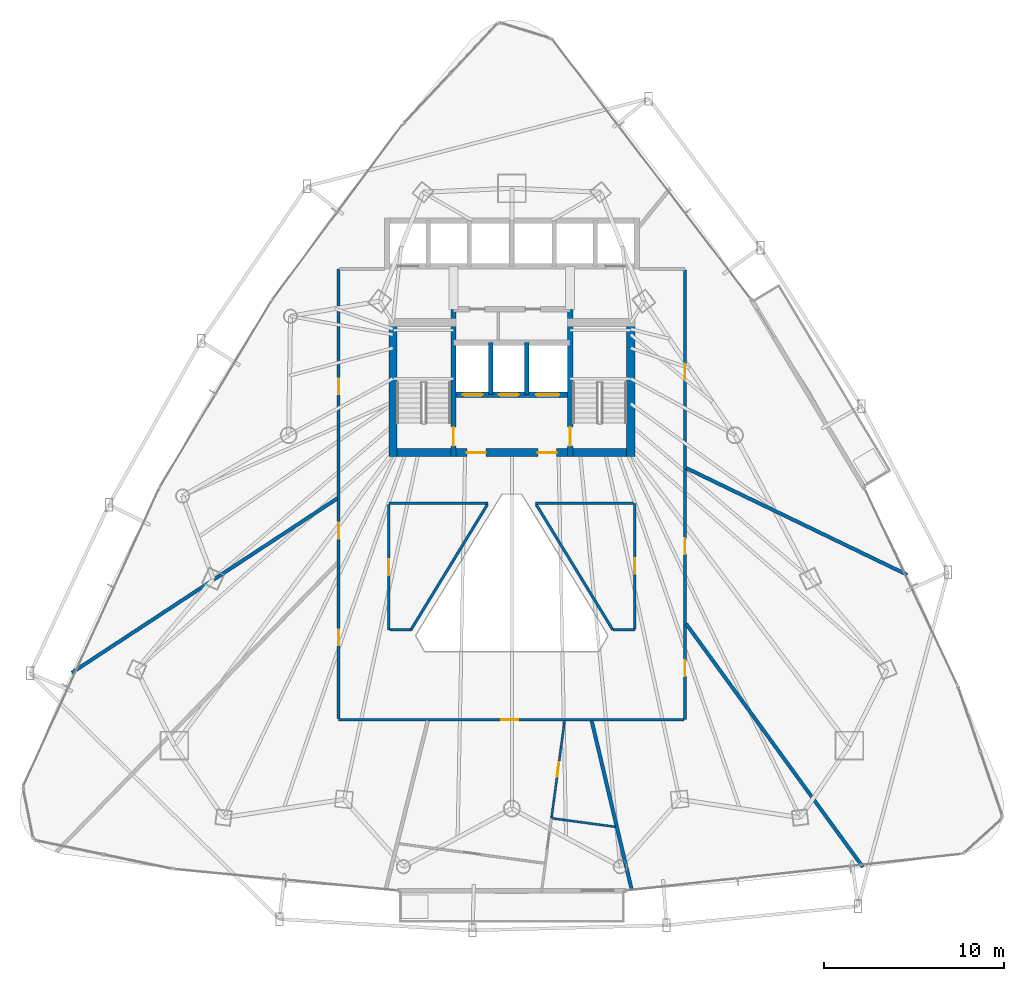
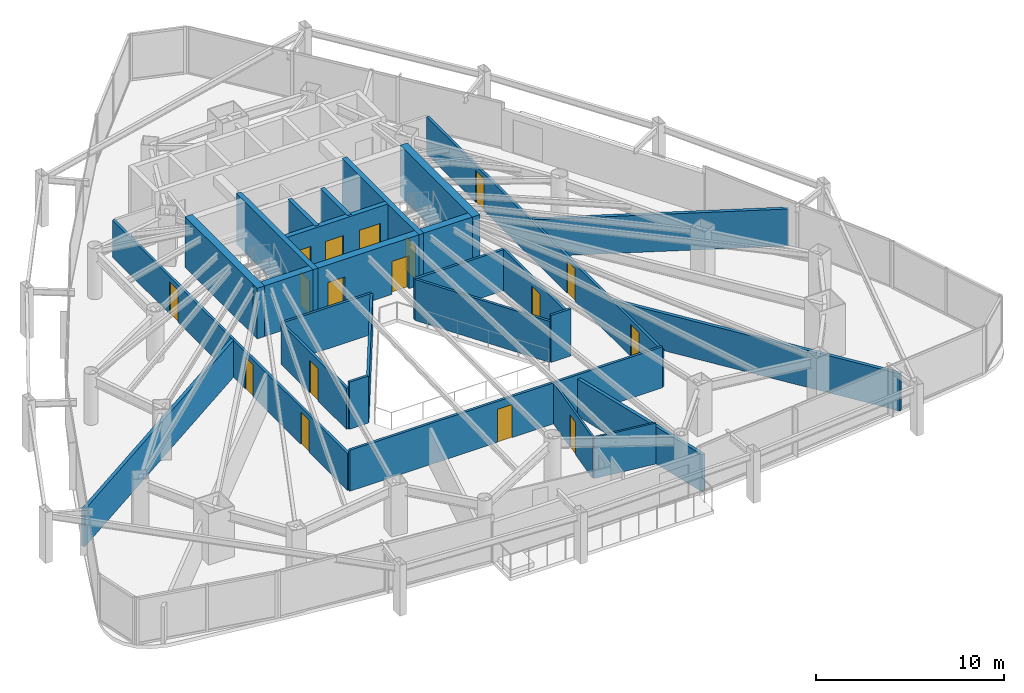
# One storey, part 29 of 33: 25 walls, 17 doors, 17 openings.
"""IFC4 building model written with IfcOpenShell, lengths in metres."""

import ifcopenshell
import ifcopenshell.guid

model = None  # the IFC model being written
_history = None  # IfcOwnerHistory: only IFC2X3 demands one
_inside = {}  # id of a spatial element -> (the spatial element, [elements in it])
_under = {}  # id of a project, library or spatial element -> (it, [spatial elements below it])
_declared = {}  # id of a project -> (the project, [libraries it declares])
_typed = {}  # id of a type object -> (the type object, [elements of that type])
_made_of = {}  # id of a material, layer set ... -> (it, [elements and type objects made of it])


def new_model(schema):
    """Start an empty IFC model of exactly this schema.

    Asked for "IFC4X3", IfcOpenShell would pick the latest addendum, in which some entities
    have other attributes; the version numbers below select the first issue.
    IFC2X3 requires an IfcOwnerHistory on every rooted entity: one is made here for all.
    """
    global model, _history
    if schema == "IFC4X3":
        model = ifcopenshell.file(schema_version=(4, 3, 0, 0))
    else:
        model = ifcopenshell.file(schema=schema)
    _inside.clear()
    _under.clear()
    _declared.clear()
    _typed.clear()
    _made_of.clear()
    _history = None
    if model.schema == "IFC2X3":
        org = make("IfcOrganization", Name="unknown")
        user = make(
            "IfcPersonAndOrganization",
            ThePerson=make("IfcPerson", FamilyName="unknown"),
            TheOrganization=org,
        )
        app = make(
            "IfcApplication",
            ApplicationDeveloper=org,
            Version="unknown",
            ApplicationFullName="unknown",
            ApplicationIdentifier="unknown",
        )
        _history = make(
            "IfcOwnerHistory",
            OwningUser=user,
            OwningApplication=app,
            ChangeAction="ADDED",
            CreationDate=0,
        )
    return model


def make(cls, **values):
    """One entity of the class cls with the attributes given. An attribute that is None is left unset."""
    return model.create_entity(
        cls, **{name: value for name, value in values.items() if value is not None}
    )


def rooted(cls, **values):
    """An entity with a GlobalId (a new one), such as an element, a storey or a relation."""
    return make(cls, GlobalId=ifcopenshell.guid.new(), OwnerHistory=_history, **values)


def si_unit(unit_type, name, prefix=None):
    """IfcSIUnit, for example si_unit("LENGTHUNIT", "METRE", prefix="MILLI")."""
    return make("IfcSIUnit", UnitType=unit_type, Prefix=prefix, Name=name)


def assignment(units):
    """IfcUnitAssignment: the units of a project."""
    return None if units is None else make("IfcUnitAssignment", Units=units)


def point(xyz):
    """IfcCartesianPoint."""
    return None if xyz is None else make("IfcCartesianPoint", Coordinates=xyz)


def direction(xyz):
    """IfcDirection."""
    return None if xyz is None else make("IfcDirection", DirectionRatios=xyz)


def frame(location, z_axis=None, x_axis=None):
    """IfcAxis2Placement3D, a coordinate frame: its origin and axes. An axis left out is left unset."""
    return make(
        "IfcAxis2Placement3D",
        Location=point(location),
        Axis=direction(z_axis),
        RefDirection=direction(x_axis),
    )


def frame_2d(location, x_axis=None):
    """IfcAxis2Placement2D, a coordinate frame in the plane: its origin and x axis."""
    return make(
        "IfcAxis2Placement2D", Location=point(location), RefDirection=direction(x_axis)
    )


def origin():
    """The frame at (0, 0, 0) with its axes left unset."""
    return frame((0.0, 0.0, 0.0))


def place(relative_to, where):
    """IfcLocalPlacement: puts the frame where relative to a parent placement (None: the world)."""
    return make(
        "IfcLocalPlacement", PlacementRelTo=relative_to, RelativePlacement=where
    )


def context(
    kind, dimensions, precision=None, world=None, true_north=None, identifier=None
):
    """IfcGeometricRepresentationContext, for example the 3D "Model" context."""
    return make(
        "IfcGeometricRepresentationContext",
        ContextIdentifier=identifier,
        ContextType=kind,
        CoordinateSpaceDimension=dimensions,
        Precision=precision,
        WorldCoordinateSystem=world,
        TrueNorth=true_north,
    )


def subcontext(parent, identifier, kind, view, scale=None):
    """IfcGeometricRepresentationSubContext, for example "Body" below "Model"."""
    return make(
        "IfcGeometricRepresentationSubContext",
        ContextIdentifier=identifier,
        ContextType=kind,
        ParentContext=parent,
        TargetScale=scale,
        TargetView=view,
    )


def project(units=None, contexts=None):
    """IfcProject with its units and contexts."""
    return rooted(
        "IfcProject",
        Name="project",
        RepresentationContexts=contexts,
        UnitsInContext=assignment(units),
    )


def spatial(cls, under=None, at=None, **own):
    """A site, building, storey or space (cls), placed at a placement, below another one or the project."""
    s = rooted(cls, ObjectPlacement=at, **own)
    if under is not None:
        _under.setdefault(under.id(), (under, []))[1].append(s)
    return s


def profile(cls, at=None, kind="AREA", **sizes):
    """A parametric profile (cls). Its sizes go by their IFC names, for example OverallWidth=200.0."""
    return make(cls, ProfileType=kind, Position=at, **sizes)


def rectangle(**sizes):
    """IfcRectangleProfileDef."""
    return profile("IfcRectangleProfileDef", **sizes)


def extrude(swept, where, along, depth):
    """IfcExtrudedAreaSolid: the profile swept, set in the frame where, extruded along a direction by depth."""
    return make(
        "IfcExtrudedAreaSolid",
        SweptArea=swept,
        Position=where,
        ExtrudedDirection=direction(along),
        Depth=depth,
    )


def shape(context_of_items, identifier, shape_type, items):
    """IfcShapeRepresentation: the items that make up one representation, for example the "Body"."""
    return make(
        "IfcShapeRepresentation",
        ContextOfItems=context_of_items,
        RepresentationIdentifier=identifier,
        RepresentationType=shape_type,
        Items=items,
    )


def material(Name=None, Category=None):
    """IfcMaterial."""
    return make("IfcMaterial", Name=Name, Category=Category)


def layer(
    of_material, thickness, ventilated=None, Name=None, Category=None, Priority=None
):
    """IfcMaterialLayer: one layer of a wall or slab, of a material (None: an air gap)."""
    return make(
        "IfcMaterialLayer",
        Material=of_material,
        LayerThickness=thickness,
        IsVentilated=ventilated,
        Name=Name,
        Category=Category,
        Priority=Priority,
    )


def layer_set(layers, Name=None):
    """IfcMaterialLayerSet."""
    return make("IfcMaterialLayerSet", MaterialLayers=layers, LayerSetName=Name)


def made_of(thing, what):
    """Note that an element or type object is made of a material, layer set ...; save() writes the relation."""
    if what is not None:
        _made_of.setdefault(what.id(), (what, []))[1].append(thing)
    return thing


def type_object(cls, material=None, **own):
    """A type object (cls), such as IfcWallType, which elements share."""
    return made_of(rooted(cls, **own), material)


def element(
    cls,
    number,
    at=None,
    inside=None,
    cuts=None,
    type_object=None,
    material=None,
    context=None,
    identifier="Body",
    shape_type=None,
    held_by="IfcProductDefinitionShape",
    body=None,
    shapes=None,
    **own,
):
    """One element of the class cls, such as IfcWall. Its Tag is "e" and its number.

    at: its placement. inside: the storey or other place that contains it. cuts: it is an
    opening in that element (IfcRelVoidsElement). A single representation is given by context,
    identifier, shape_type and body (its items); several are given by shapes. held_by: the class
    of the entity that holds the representations. save() writes the other relations.
    """
    e = rooted(cls, Tag="e%d" % number, ObjectPlacement=at, **own)
    if body is not None:
        shapes = [shape(context, identifier, shape_type, body)]
    if shapes is not None:
        e.Representation = make(held_by, Representations=shapes)
    if inside is not None:
        _inside.setdefault(inside.id(), (inside, []))[1].append(e)
    if cuts is not None:
        rooted(
            "IfcRelVoidsElement", RelatingBuildingElement=cuts, RelatedOpeningElement=e
        )
    if type_object is not None:
        _typed.setdefault(type_object.id(), (type_object, []))[1].append(e)
    return made_of(e, material)


def fill(opening, filler):
    """IfcRelFillsElement: the door or window that sits in an opening."""
    return rooted(
        "IfcRelFillsElement",
        RelatingOpeningElement=opening,
        RelatedBuildingElement=filler,
    )


def aggregate(whole, parts):
    """IfcRelAggregates: a whole, such as a stair, and the parts it consists of."""
    return rooted("IfcRelAggregates", RelatingObject=whole, RelatedObjects=parts)


def save(model, path):
    """Write the relations noted so far, then the file.

    IfcRelAggregates (storeys below a building ...), IfcRelContainedInSpatialStructure (elements
    in a storey), IfcRelDefinesByType, IfcRelAssociatesMaterial and IfcRelDeclares: one each for
    every whole, place, type object, material and project.
    """
    for whole, parts in _under.values():
        aggregate(whole, parts)
    for where, things in _inside.values():
        rooted(
            "IfcRelContainedInSpatialStructure",
            RelatedElements=things,
            RelatingStructure=where,
        )
    for kind, things in _typed.values():
        rooted("IfcRelDefinesByType", RelatedObjects=things, RelatingType=kind)
    for what, things in _made_of.values():
        rooted("IfcRelAssociatesMaterial", RelatedObjects=things, RelatingMaterial=what)
    for by, libraries in _declared.values():
        rooted("IfcRelDeclares", RelatingContext=by, RelatedDefinitions=libraries)
    model.write(path)


model = new_model("IFC4")

# Units and contexts
model_context = context("Model", 3, precision=1e-05, world=origin(), true_north=direction((0.0, 1.0)))
body_context = subcontext(model_context, "Body", "Model", "MODEL_VIEW")
ifc_project = project(units=[si_unit("LENGTHUNIT", "METRE"), si_unit("AREAUNIT", "SQUARE_METRE"), si_unit("VOLUMEUNIT", "CUBIC_METRE"), si_unit("PLANEANGLEUNIT", "RADIAN"), si_unit("MASSUNIT", "GRAM", prefix="KILO")], contexts=[model_context])

# Site, building, storey
site_placement = place(None, origin())
site = spatial("IfcSite", under=ifc_project, at=site_placement, CompositionType="ELEMENT")
building_placement = place(site_placement, origin())
building = spatial("IfcBuilding", under=site, at=building_placement, Name="Orvanel Arch Residences", CompositionType="ELEMENT")
storey_placement = place(building_placement, frame((0.0, 0.0, 84.050048828125)))
storey = spatial("IfcBuildingStorey", under=building, at=storey_placement, Name="L23", CompositionType="ELEMENT", Elevation=84.050048828125)

# Walls
ifc_material_1 = material(Name="Concrete N50 (50 MPa)", Category="concrete")
ifc_layer_1 = layer(ifc_material_1, 0.25)
ifc_layer_set_1 = layer_set([ifc_layer_1], Name="Concrete N50 (50 MPa)")
wall_type_1 = type_object("IfcWallType", Name="SW-CORE-250", PredefinedType="SHEAR", material=ifc_layer_set_1)
for number, where, z_axis, x_axis, name in (
    (1, (31.824951171875, 29.89990234375, 0.0), (0.0, 0.0, 1.0), (0.0, 1.0, 0.0), "L23 Emergency Lift Inter-Shaft Wall F12"),
    (2, (33.824951171875, 29.89990234375, 0.0), (0.0, 0.0, 1.0), (0.0, 1.0, 0.0), "L23 Emergency Lift Inter-Shaft Wall F2G"),
):
    element("IfcWall", number, at=place(storey_placement, frame(where, z_axis=z_axis, x_axis=x_axis)), inside=storey, type_object=wall_type_1, Name=name, PredefinedType="SHEAR", context=body_context, shape_type="SweptSolid", body=[
        extrude(rectangle(XDim=2.900146484375, YDim=0.25, at=frame_2d((1.4501953125, 0.0))), origin(), (0.0, 0.0, 1.0), 3.300048828125),
    ])

# Wall, opening, door
ifc_material_2 = material(Name="Concrete S80 (80 MPa)", Category="concrete")
ifc_layer_2 = layer(ifc_material_2, 0.300048828125)
ifc_layer_set_2 = layer_set([ifc_layer_2], Name="Concrete S80 (80 MPa)")
wall_type_2 = type_object("IfcWallType", Name="SW-CORE-300", PredefinedType="SHEAR", material=ifc_layer_set_2)
wall_1_placement = place(storey_placement, frame((29.75, 26.449951171875, 0.0), z_axis=(0.0, 0.0, 1.0), x_axis=(0.0, 1.0, 0.0)))
wall_1 = element("IfcWall", 3, at=wall_1_placement, inside=storey, type_object=wall_type_2, Name="L23 West Inner Core Spine Shear Wall", PredefinedType="SHEAR", context=body_context, shape_type="SweptSolid", body=[
    extrude(rectangle(XDim=8.199951171875, YDim=0.300048828125, at=frame_2d((4.10009765625, 0.0))), origin(), (0.0, 0.0, 1.0), 3.300048828125),
])
opening_1_placement = place(wall_1_placement, frame((0.60009765625, 0.0, 0.0)))
opening_1 = element("IfcOpeningElement", 4, at=opening_1_placement, cuts=wall_1, Name="Opening DF-120", PredefinedType="OPENING", context=body_context, shape_type="SweptSolid", body=[
    extrude(rectangle(XDim=1.050048828125, YDim=2.14990234375, at=frame_2d((0.52490234375, 1.074951171875))), frame((0.0, 0.159912109375, 0.0), z_axis=(0.0, -1.0, 0.0), x_axis=(1.0, 0.0, 0.0)), (0.0, 0.0, 1.0), 0.320068359375),
])
ifc_material_3 = material(Name="Galvanised steel fire-resisting door assembly", Category="steel")
door_type_1 = type_object("IfcDoorType", Name="DR-FD120-1050", OperationType="NOTDEFINED", PredefinedType="DOOR", material=ifc_material_3)
door_1_placement = place(opening_1_placement, origin())
door_1 = element("IfcDoor", 5, at=door_1_placement, inside=storey, type_object=door_type_1, Name="DR-L23-ST1 L23 Stair 1 Fire Door", OperationType="SINGLE_SWING_LEFT", OverallHeight=2.14990234375, OverallWidth=1.050048828125, PredefinedType="DOOR", context=body_context, shape_type="SweptSolid", body=[
    extrude(rectangle(XDim=1.050048828125, YDim=2.14990234375, at=frame_2d((0.52490234375, 1.074951171875))), frame((0.0, 0.02490234375, 0.0), z_axis=(0.0, -1.0, 0.0), x_axis=(1.0, 0.0, 0.0)), (0.0, 0.0, 1.0), 0.050048828125),
])
fill(opening_1, door_1)

wall_2_placement = place(storey_placement, frame((36.25, 26.449951171875, 0.0), z_axis=(0.0, 0.0, 1.0), x_axis=(0.0, 1.0, 0.0)))
wall_2 = element("IfcWall", 6, at=wall_2_placement, inside=storey, type_object=wall_type_2, Name="L23 East Inner Core Spine Shear Wall", PredefinedType="SHEAR", context=body_context, shape_type="SweptSolid", body=[
    extrude(rectangle(XDim=8.199951171875, YDim=0.300048828125, at=frame_2d((4.10009765625, 0.0))), origin(), (0.0, 0.0, 1.0), 3.300048828125),
])
opening_2_placement = place(wall_2_placement, frame((0.60009765625, 0.0, 0.0)))
opening_2 = element("IfcOpeningElement", 7, at=opening_2_placement, cuts=wall_2, Name="Opening DF-120", PredefinedType="OPENING", context=body_context, shape_type="SweptSolid", body=[
    extrude(rectangle(XDim=1.050048828125, YDim=2.14990234375, at=frame_2d((0.52490234375, 1.074951171875))), frame((0.0, 0.159912109375, 0.0), z_axis=(0.0, -1.0, 0.0), x_axis=(1.0, 0.0, 0.0)), (0.0, 0.0, 1.0), 0.320068359375),
])
door_2_placement = place(opening_2_placement, origin())
door_2 = element("IfcDoor", 8, at=door_2_placement, inside=storey, type_object=door_type_1, Name="DR-L23-ST2 L23 Stair 2 Fire Door", OperationType="SINGLE_SWING_RIGHT", OverallHeight=2.14990234375, OverallWidth=1.050048828125, PredefinedType="DOOR", context=body_context, shape_type="SweptSolid", body=[
    extrude(rectangle(XDim=1.050048828125, YDim=2.14990234375, at=frame_2d((0.52490234375, 1.074951171875))), frame((0.0, 0.02490234375, 0.0), z_axis=(0.0, -1.0, 0.0), x_axis=(1.0, 0.0, 0.0)), (0.0, 0.0, 1.0), 0.050048828125),
])
fill(opening_2, door_2)

# Wall, openings, doors
wall_3_placement = place(storey_placement, frame((36.25, 29.89990234375, 0.0), z_axis=(0.0, 0.0, 1.0), x_axis=(-1.0, 0.0, 0.0)))
wall_3 = element("IfcWall", 9, at=wall_3_placement, inside=storey, type_object=wall_type_2, Name="L23 Emergency Lift Front Core Shear Wall", PredefinedType="SHEAR", context=body_context, shape_type="SweptSolid", body=[
    extrude(rectangle(XDim=6.5, YDim=0.300048828125, at=frame_2d((3.25, 0.0))), origin(), (0.0, 0.0, 1.0), 3.300048828125),
])
opening_3_placement = place(wall_3_placement, frame((4.875, 0.0, 0.0)))
opening_3 = element("IfcOpeningElement", 10, at=opening_3_placement, cuts=wall_3, Name="Opening LD-110", PredefinedType="OPENING", context=body_context, shape_type="SweptSolid", body=[
    extrude(rectangle(XDim=1.10009765625, YDim=2.199951171875, at=frame_2d((0.550048828125, 1.10009765625))), frame((0.0, 0.159912109375, 0.0), z_axis=(0.0, -1.0, 0.0), x_axis=(1.0, 0.0, 0.0)), (0.0, 0.0, 1.0), 0.320068359375),
])
opening_4_placement = place(wall_3_placement, frame((2.875, 0.0, 0.0)))
opening_4 = element("IfcOpeningElement", 11, at=opening_4_placement, cuts=wall_3, Name="Opening LD-110", PredefinedType="OPENING", context=body_context, shape_type="SweptSolid", body=[
    extrude(rectangle(XDim=1.10009765625, YDim=2.199951171875, at=frame_2d((0.550048828125, 1.10009765625))), frame((0.0, 0.159912109375, 0.0), z_axis=(0.0, -1.0, 0.0), x_axis=(1.0, 0.0, 0.0)), (0.0, 0.0, 1.0), 0.320068359375),
])
opening_5_placement = place(wall_3_placement, frame((0.60009765625, 0.0, 0.0)))
opening_5 = element("IfcOpeningElement", 12, at=opening_5_placement, cuts=wall_3, Name="Opening LD-130", PredefinedType="OPENING", context=body_context, shape_type="SweptSolid", body=[
    extrude(rectangle(XDim=1.300048828125, YDim=2.199951171875, at=frame_2d((0.64990234375, 1.10009765625))), frame((0.0, 0.159912109375, 0.0), z_axis=(0.0, -1.0, 0.0), x_axis=(1.0, 0.0, 0.0)), (0.0, 0.0, 1.0), 0.320068359375),
])
door_type_2 = type_object("IfcDoorType", Name="DR-LFT-1100", OperationType="NOTDEFINED", PredefinedType="DOOR", material=ifc_material_3)
door_3_placement = place(opening_3_placement, origin())
door_3 = element("IfcDoor", 13, at=door_3_placement, inside=storey, type_object=door_type_2, Name="LD-F1-L23 L23 Lift F1 Sliding Landing Door", OperationType="DOUBLE_DOOR_SLIDING", OverallHeight=2.199951171875, OverallWidth=1.10009765625, PredefinedType="DOOR", context=body_context, shape_type="SweptSolid", body=[
    extrude(rectangle(XDim=1.10009765625, YDim=2.199951171875, at=frame_2d((0.550048828125, 1.10009765625))), frame((0.0, 0.02490234375, 0.0), z_axis=(0.0, -1.0, 0.0), x_axis=(1.0, 0.0, 0.0)), (0.0, 0.0, 1.0), 0.050048828125),
])
fill(opening_3, door_3)
door_4_placement = place(opening_4_placement, origin())
door_4 = element("IfcDoor", 14, at=door_4_placement, inside=storey, type_object=door_type_2, Name="LD-F2-L23 L23 Lift F2 Sliding Landing Door", OperationType="DOUBLE_DOOR_SLIDING", OverallHeight=2.199951171875, OverallWidth=1.10009765625, PredefinedType="DOOR", context=body_context, shape_type="SweptSolid", body=[
    extrude(rectangle(XDim=1.10009765625, YDim=2.199951171875, at=frame_2d((0.550048828125, 1.10009765625))), frame((0.0, 0.02490234375, 0.0), z_axis=(0.0, -1.0, 0.0), x_axis=(1.0, 0.0, 0.0)), (0.0, 0.0, 1.0), 0.050048828125),
])
fill(opening_4, door_4)
door_type_3 = type_object("IfcDoorType", Name="DR-LFT-1300", OperationType="NOTDEFINED", PredefinedType="DOOR", material=ifc_material_3)
door_5_placement = place(opening_5_placement, origin())
door_5 = element("IfcDoor", 15, at=door_5_placement, inside=storey, type_object=door_type_3, Name="LD-G1-L23 L23 Lift G1 Sliding Landing Door", OperationType="DOUBLE_DOOR_SLIDING", OverallHeight=2.199951171875, OverallWidth=1.300048828125, PredefinedType="DOOR", context=body_context, shape_type="SweptSolid", body=[
    extrude(rectangle(XDim=1.300048828125, YDim=2.199951171875, at=frame_2d((0.64990234375, 1.10009765625))), frame((0.0, 0.02490234375, 0.0), z_axis=(0.0, -1.0, 0.0), x_axis=(1.0, 0.0, 0.0)), (0.0, 0.0, 1.0), 0.050048828125),
])
fill(opening_5, door_5)

ifc_layer_3 = layer(ifc_material_2, 0.449951171875)
ifc_layer_set_3 = layer_set([ifc_layer_3], Name="Concrete S80 (80 MPa)")
wall_type_3 = type_object("IfcWallType", Name="SW-CORE-450", PredefinedType="SHEAR", material=ifc_layer_set_3)
wall_4_placement = place(storey_placement, frame((26.14990234375, 26.675048828125, 0.0), z_axis=(0.0, 0.0, 1.0), x_axis=(1.0, 0.0, 0.0)))
wall_4 = element("IfcWall", 16, at=wall_4_placement, inside=storey, type_object=wall_type_3, Name="L23 South Core Shear Wall", PredefinedType="SHEAR", context=body_context, shape_type="SweptSolid", body=[
    extrude(rectangle(XDim=13.7001953125, YDim=0.449951171875, at=frame_2d((6.85009765625, 0.0))), origin(), (0.0, 0.0, 1.0), 3.300048828125),
])
opening_6_placement = place(wall_4_placement, frame((4.35009765625, 0.0, 0.0)))
opening_6 = element("IfcOpeningElement", 17, at=opening_6_placement, cuts=wall_4, Name="Opening DF-060", PredefinedType="OPENING", context=body_context, shape_type="SweptSolid", body=[
    extrude(rectangle(XDim=1.050048828125, YDim=2.14990234375, at=frame_2d((0.52490234375, 1.074951171875))), frame((0.0, 0.23486328125, 0.0), z_axis=(0.0, -1.0, 0.0), x_axis=(1.0, 0.0, 0.0)), (0.0, 0.0, 1.0), 0.469970703125),
])
opening_7_placement = place(wall_4_placement, frame((8.300048828125, 0.0, 0.0)))
opening_7 = element("IfcOpeningElement", 18, at=opening_7_placement, cuts=wall_4, Name="Opening DF-060", PredefinedType="OPENING", context=body_context, shape_type="SweptSolid", body=[
    extrude(rectangle(XDim=1.050048828125, YDim=2.14990234375, at=frame_2d((0.52490234375, 1.074951171875))), frame((0.0, 0.23486328125, 0.0), z_axis=(0.0, -1.0, 0.0), x_axis=(1.0, 0.0, 0.0)), (0.0, 0.0, 1.0), 0.469970703125),
])
door_type_4 = type_object("IfcDoorType", Name="DR-FD60-1050", OperationType="NOTDEFINED", PredefinedType="DOOR", material=ifc_material_3)
door_6_placement = place(opening_6_placement, origin())
door_6 = element("IfcDoor", 19, at=door_6_placement, inside=storey, type_object=door_type_4, Name="DR-L23-FFL-W L23 West Smoke Lobby Door", OperationType="SINGLE_SWING_LEFT", OverallHeight=2.14990234375, OverallWidth=1.050048828125, PredefinedType="DOOR", context=body_context, shape_type="SweptSolid", body=[
    extrude(rectangle(XDim=1.050048828125, YDim=2.14990234375, at=frame_2d((0.52490234375, 1.074951171875))), frame((0.0, 0.02490234375, 0.0), z_axis=(0.0, -1.0, 0.0), x_axis=(1.0, 0.0, 0.0)), (0.0, 0.0, 1.0), 0.050048828125),
])
fill(opening_6, door_6)
door_7_placement = place(opening_7_placement, origin())
door_7 = element("IfcDoor", 20, at=door_7_placement, inside=storey, type_object=door_type_4, Name="DR-L23-FFL-E L23 East Smoke Lobby Door", OperationType="SINGLE_SWING_RIGHT", OverallHeight=2.14990234375, OverallWidth=1.050048828125, PredefinedType="DOOR", context=body_context, shape_type="SweptSolid", body=[
    extrude(rectangle(XDim=1.050048828125, YDim=2.14990234375, at=frame_2d((0.52490234375, 1.074951171875))), frame((0.0, 0.02490234375, 0.0), z_axis=(0.0, -1.0, 0.0), x_axis=(1.0, 0.0, 0.0)), (0.0, 0.0, 1.0), 0.050048828125),
])
fill(opening_7, door_7)

# Walls
for number, where, z_axis, x_axis, name in (
    (21, (26.375, 26.449951171875, 0.0), (0.0, 0.0, 1.0), (0.0, 1.0, 0.0), "L23 West Stair Shear Wall"),
    (22, (39.625, 26.449951171875, 0.0), (0.0, 0.0, 1.0), (0.0, 1.0, 0.0), "L23 East Stair Shear Wall"),
):
    element("IfcWall", number, at=place(storey_placement, frame(where, z_axis=z_axis, x_axis=x_axis)), inside=storey, type_object=wall_type_3, Name=name, PredefinedType="SHEAR", context=body_context, shape_type="SweptSolid", body=[
        extrude(rectangle(XDim=7.699951171875, YDim=0.449951171875, at=frame_2d((3.85009765625, 0.0))), origin(), (0.0, 0.0, 1.0), 3.300048828125),
    ])

# Wall, openings, doors
ifc_material_4 = material(Name="Fire-rated plasterboard lined steel stud partition", Category="steel")
ifc_layer_4 = layer(ifc_material_4, 0.14990234375)
ifc_layer_set_4 = layer_set([ifc_layer_4], Name="Fire-rated plasterboard lined steel stud partition")
wall_type_4 = type_object("IfcWallType", Name="W-COR-150", PredefinedType="PARTITIONING", material=ifc_layer_set_4)
wall_5_placement = place(storey_placement, frame((42.64990234375, 36.840087890625, 0.0), z_axis=(0.0, 0.0, 1.0), x_axis=(0.0, -1.0, 0.0)))
wall_5 = element("IfcWall", 23, at=wall_5_placement, inside=storey, type_object=wall_type_4, Name="L23 Corridor Fire-Rated Partition", PredefinedType="PARTITIONING", context=body_context, shape_type="SweptSolid", body=[
    extrude(rectangle(XDim=25.0400390625, YDim=0.14990234375, at=frame_2d((12.52001953125, 0.0))), origin(), (0.0, 0.0, 1.0), 2.412841796875),
])
opening_8_placement = place(wall_5_placement, frame((14.947021484375, 0.0, 0.0)))
opening_8 = element("IfcOpeningElement", 24, at=opening_8_placement, cuts=wall_5, Name="Opening DI-088", PredefinedType="OPENING", context=body_context, shape_type="SweptSolid", body=[
    extrude(rectangle(XDim=0.8798828125, YDim=2.10009765625, at=frame_2d((0.43994140625, 1.050048828125))), frame((0.0, 0.0849609375, 0.0), z_axis=(0.0, -1.0, 0.0), x_axis=(1.0, 0.0, 0.0)), (0.0, 0.0, 1.0), 0.169921875),
])
opening_9_placement = place(wall_5_placement, frame((21.740966796875, 0.0, 0.0)))
opening_9 = element("IfcOpeningElement", 25, at=opening_9_placement, cuts=wall_5, Name="Opening DI-088", PredefinedType="OPENING", context=body_context, shape_type="SweptSolid", body=[
    extrude(rectangle(XDim=0.8798828125, YDim=2.10009765625, at=frame_2d((0.43994140625, 1.050048828125))), frame((0.0, 0.0849609375, 0.0), z_axis=(0.0, -1.0, 0.0), x_axis=(1.0, 0.0, 0.0)), (0.0, 0.0, 1.0), 0.169921875),
])
opening_10_placement = place(wall_5_placement, frame((5.220947265625, 0.0, 0.0)))
opening_10 = element("IfcOpeningElement", 26, at=opening_10_placement, cuts=wall_5, Name="Opening DI-088", PredefinedType="OPENING", context=body_context, shape_type="SweptSolid", body=[
    extrude(rectangle(XDim=0.8798828125, YDim=2.10009765625, at=frame_2d((0.43994140625, 1.050048828125))), frame((0.0, 0.0849609375, 0.0), z_axis=(0.0, -1.0, 0.0), x_axis=(1.0, 0.0, 0.0)), (0.0, 0.0, 1.0), 0.169921875),
])
ifc_material_5 = material(Name="Solid-core European oak veneer fire door leaf", Category="wood")
door_type_5 = type_object("IfcDoorType", Name="DR-INT-880", OperationType="NOTDEFINED", PredefinedType="DOOR", material=ifc_material_5)
door_8_placement = place(opening_8_placement, origin())
door_8 = element("IfcDoor", 27, at=door_8_placement, inside=storey, type_object=door_type_5, Name="DR-L23-SHRD-FB2 L23 Co-Working Study Office B Door", OperationType="SINGLE_SWING_LEFT", OverallHeight=2.10009765625, OverallWidth=0.8798828125, PredefinedType="DOOR", context=body_context, shape_type="SweptSolid", body=[
    extrude(rectangle(XDim=0.8798828125, YDim=2.10009765625, at=frame_2d((0.43994140625, 1.050048828125))), frame((0.0, 0.02490234375, 0.0), z_axis=(0.0, -1.0, 0.0), x_axis=(1.0, 0.0, 0.0)), (0.0, 0.0, 1.0), 0.050048828125),
])
fill(opening_8, door_8)
door_9_placement = place(opening_9_placement, origin())
door_9 = element("IfcDoor", 28, at=door_9_placement, inside=storey, type_object=door_type_5, Name="DR-L23-SHRD-FB4 L23 Co-Working Study Office D Door", OperationType="SINGLE_SWING_LEFT", OverallHeight=2.10009765625, OverallWidth=0.8798828125, PredefinedType="DOOR", context=body_context, shape_type="SweptSolid", body=[
    extrude(rectangle(XDim=0.8798828125, YDim=2.10009765625, at=frame_2d((0.43994140625, 1.050048828125))), frame((0.0, 0.02490234375, 0.0), z_axis=(0.0, -1.0, 0.0), x_axis=(1.0, 0.0, 0.0)), (0.0, 0.0, 1.0), 0.050048828125),
])
fill(opening_9, door_9)
door_10_placement = place(opening_10_placement, origin())
door_10 = element("IfcDoor", 29, at=door_10_placement, inside=storey, type_object=door_type_5, Name="DR-L23-SHRD-FB7 L23 Co-Working Study Office G Door", OperationType="SINGLE_SWING_LEFT", OverallHeight=2.10009765625, OverallWidth=0.8798828125, PredefinedType="DOOR", context=body_context, shape_type="SweptSolid", body=[
    extrude(rectangle(XDim=0.8798828125, YDim=2.10009765625, at=frame_2d((0.43994140625, 1.050048828125))), frame((0.0, 0.02490234375, 0.0), z_axis=(0.0, -1.0, 0.0), x_axis=(1.0, 0.0, 0.0)), (0.0, 0.0, 1.0), 0.050048828125),
])
fill(opening_10, door_10)

# Wall, opening, door
wall_6_placement = place(storey_placement, frame((42.590087890625, 11.800048828125, 0.0), z_axis=(0.0, 0.0, 1.0), x_axis=(-1.0, 0.0, 0.0)))
wall_6 = element("IfcWall", 30, at=wall_6_placement, inside=storey, type_object=wall_type_4, Name="L23 Corridor Fire-Rated Partition", PredefinedType="PARTITIONING", context=body_context, shape_type="SweptSolid", body=[
    extrude(rectangle(XDim=19.239990234375, YDim=0.14990234375, at=frame_2d((9.6201171875, 0.0))), origin(), (0.0, 0.0, 1.0), 2.6689453125),
])
opening_11_placement = place(wall_6_placement, frame((9.2451171875, 0.0, 0.0)))
opening_11 = element("IfcOpeningElement", 31, at=opening_11_placement, cuts=wall_6, Name="Opening DA-092", PredefinedType="OPENING", context=body_context, shape_type="SweptSolid", body=[
    extrude(rectangle(XDim=0.919921875, YDim=2.14990234375, at=frame_2d((0.4599609375, 1.074951171875))), frame((0.0, 0.0849609375, 0.0), z_axis=(0.0, -1.0, 0.0), x_axis=(1.0, 0.0, 0.0)), (0.0, 0.0, 1.0), 0.169921875),
])
door_type_6 = type_object("IfcDoorType", Name="DR-APT-920", OperationType="NOTDEFINED", PredefinedType="DOOR", material=ifc_material_5)
door_11_placement = place(opening_11_placement, origin())
door_11 = element("IfcDoor", 32, at=door_11_placement, inside=storey, type_object=door_type_6, Name="DR-L23-F-ENT L23 Studio F Entrance Door", OperationType="SINGLE_SWING_LEFT", OverallHeight=2.14990234375, OverallWidth=0.919921875, PredefinedType="DOOR", context=body_context, shape_type="SweptSolid", body=[
    extrude(rectangle(XDim=0.919921875, YDim=2.14990234375, at=frame_2d((0.4599609375, 1.074951171875))), frame((0.0, 0.02490234375, 0.0), z_axis=(0.0, -1.0, 0.0), x_axis=(1.0, 0.0, 0.0)), (0.0, 0.0, 1.0), 0.050048828125),
])
fill(opening_11, door_11)

# Wall, openings, doors
wall_7_placement = place(storey_placement, frame((23.35009765625, 11.860107421875, 0.0), z_axis=(0.0, 0.0, 1.0), x_axis=(0.0, 1.0, 0.0)))
wall_7 = element("IfcWall", 33, at=wall_7_placement, inside=storey, type_object=wall_type_4, Name="L23 Corridor Fire-Rated Partition", PredefinedType="PARTITIONING", context=body_context, shape_type="SweptSolid", body=[
    extrude(rectangle(XDim=25.039794921875, YDim=0.14990234375, at=frame_2d((12.52001953125, 0.0))), origin(), (0.0, 0.0, 1.0), 2.412841796875),
])
opening_12_placement = place(wall_7_placement, frame((18.06103515625, 0.0, 0.0)))
opening_12 = element("IfcOpeningElement", 34, at=opening_12_placement, cuts=wall_7, Name="Opening DI-088", PredefinedType="OPENING", context=body_context, shape_type="SweptSolid", body=[
    extrude(rectangle(XDim=0.8798828125, YDim=2.10009765625, at=frame_2d((0.43994140625, 1.050048828125))), frame((0.0, 0.0849609375, 0.0), z_axis=(0.0, -1.0, 0.0), x_axis=(1.0, 0.0, 0.0)), (0.0, 0.0, 1.0), 0.169921875),
])
opening_13_placement = place(wall_7_placement, frame((4.072998046875, 0.0, 0.0)))
opening_13 = element("IfcOpeningElement", 35, at=opening_13_placement, cuts=wall_7, Name="Opening DI-088", PredefinedType="OPENING", context=body_context, shape_type="SweptSolid", body=[
    extrude(rectangle(XDim=0.8798828125, YDim=2.10009765625, at=frame_2d((0.43994140625, 1.050048828125))), frame((0.0, 0.0849609375, 0.0), z_axis=(0.0, -1.0, 0.0), x_axis=(1.0, 0.0, 0.0)), (0.0, 0.0, 1.0), 0.169921875),
])
opening_14_placement = place(wall_7_placement, frame((10.028076171875, 0.0, 0.0)))
opening_14 = element("IfcOpeningElement", 36, at=opening_14_placement, cuts=wall_7, Name="Opening DI-088", PredefinedType="OPENING", context=body_context, shape_type="SweptSolid", body=[
    extrude(rectangle(XDim=0.8798828125, YDim=2.10009765625, at=frame_2d((0.43994140625, 1.050048828125))), frame((0.0, 0.0849609375, 0.0), z_axis=(0.0, -1.0, 0.0), x_axis=(1.0, 0.0, 0.0)), (0.0, 0.0, 1.0), 0.169921875),
])
door_12_placement = place(opening_12_placement, origin())
door_12 = element("IfcDoor", 37, at=door_12_placement, inside=storey, type_object=door_type_5, Name="DR-L23-SHRD-FB1 L23 Co-Working Study Office A Door", OperationType="SINGLE_SWING_LEFT", OverallHeight=2.10009765625, OverallWidth=0.8798828125, PredefinedType="DOOR", context=body_context, shape_type="SweptSolid", body=[
    extrude(rectangle(XDim=0.8798828125, YDim=2.10009765625, at=frame_2d((0.43994140625, 1.050048828125))), frame((0.0, 0.02490234375, 0.0), z_axis=(0.0, -1.0, 0.0), x_axis=(1.0, 0.0, 0.0)), (0.0, 0.0, 1.0), 0.050048828125),
])
fill(opening_12, door_12)
door_13_placement = place(opening_13_placement, origin())
door_13 = element("IfcDoor", 38, at=door_13_placement, inside=storey, type_object=door_type_5, Name="DR-L23-SHRD-FB3 L23 Co-Working Study Office C Door", OperationType="SINGLE_SWING_LEFT", OverallHeight=2.10009765625, OverallWidth=0.8798828125, PredefinedType="DOOR", context=body_context, shape_type="SweptSolid", body=[
    extrude(rectangle(XDim=0.8798828125, YDim=2.10009765625, at=frame_2d((0.43994140625, 1.050048828125))), frame((0.0, 0.02490234375, 0.0), z_axis=(0.0, -1.0, 0.0), x_axis=(1.0, 0.0, 0.0)), (0.0, 0.0, 1.0), 0.050048828125),
])
fill(opening_13, door_13)
door_14_placement = place(opening_14_placement, origin())
door_14 = element("IfcDoor", 39, at=door_14_placement, inside=storey, type_object=door_type_5, Name="DR-L23-SHRD-FB5 L23 Co-Working Study Office E Door", OperationType="SINGLE_SWING_LEFT", OverallHeight=2.10009765625, OverallWidth=0.8798828125, PredefinedType="DOOR", context=body_context, shape_type="SweptSolid", body=[
    extrude(rectangle(XDim=0.8798828125, YDim=2.10009765625, at=frame_2d((0.43994140625, 1.050048828125))), frame((0.0, 0.02490234375, 0.0), z_axis=(0.0, -1.0, 0.0), x_axis=(1.0, 0.0, 0.0)), (0.0, 0.0, 1.0), 0.050048828125),
])
fill(opening_14, door_14)

# Wall
wall_8_placement = place(storey_placement, frame((31.68310546875, 23.85009765625, 0.0), z_axis=(0.0, 0.0, 1.0), x_axis=(-1.0, 0.0, 0.0)))
element("IfcWall", 40, at=wall_8_placement, inside=storey, type_object=wall_type_4, Name="L23 Corridor Fire-Rated Partition", PredefinedType="PARTITIONING", context=body_context, shape_type="SweptSolid", body=[
    extrude(rectangle(XDim=5.533203125, YDim=0.14990234375, at=frame_2d((2.7666015625, 0.0))), origin(), (0.0, 0.0, 1.0), 2.6689453125),
])

# Wall, opening, door
wall_9_placement = place(storey_placement, frame((26.14990234375, 23.7900390625, 0.0), z_axis=(0.0, 0.0, 1.0), x_axis=(0.0, -1.0, 0.0)))
wall_9 = element("IfcWall", 41, at=wall_9_placement, inside=storey, type_object=wall_type_4, Name="L23 Corridor Fire-Rated Partition", PredefinedType="PARTITIONING", context=body_context, shape_type="SweptSolid", body=[
    extrude(rectangle(XDim=6.989990234375, YDim=0.14990234375, at=frame_2d((3.4951171875, 0.0))), origin(), (0.0, 0.0, 1.0), 2.6689453125),
])
opening_15_placement = place(wall_9_placement, frame((3.054931640625, 0.0, 0.0)))
opening_15 = element("IfcOpeningElement", 42, at=opening_15_placement, cuts=wall_9, Name="Opening DI-088", PredefinedType="OPENING", context=body_context, shape_type="SweptSolid", body=[
    extrude(rectangle(XDim=0.8798828125, YDim=2.10009765625, at=frame_2d((0.43994140625, 1.050048828125))), frame((0.0, 0.0849609375, 0.0), z_axis=(0.0, -1.0, 0.0), x_axis=(1.0, 0.0, 0.0)), (0.0, 0.0, 1.0), 0.169921875),
])
door_15_placement = place(opening_15_placement, origin())
door_15 = element("IfcDoor", 43, at=door_15_placement, inside=storey, type_object=door_type_5, Name="DR-L23-SHRD-FB9 L23 Co-Working Study Office I Door", OperationType="SINGLE_SWING_LEFT", OverallHeight=2.10009765625, OverallWidth=0.8798828125, PredefinedType="DOOR", context=body_context, shape_type="SweptSolid", body=[
    extrude(rectangle(XDim=0.8798828125, YDim=2.10009765625, at=frame_2d((0.43994140625, 1.050048828125))), frame((0.0, 0.02490234375, 0.0), z_axis=(0.0, -1.0, 0.0), x_axis=(1.0, 0.0, 0.0)), (0.0, 0.0, 1.0), 0.050048828125),
])
fill(opening_15, door_15)

# Walls
wall_10_placement = place(storey_placement, frame((26.2099609375, 16.800048828125, 0.0), z_axis=(0.0, 0.0, 1.0), x_axis=(1.0, 0.0, 0.0)))
element("IfcWall", 44, at=wall_10_placement, inside=storey, type_object=wall_type_4, Name="L23 Corridor Fire-Rated Partition", PredefinedType="PARTITIONING", context=body_context, shape_type="SweptSolid", body=[
    extrude(rectangle(XDim=1.1630859375, YDim=0.14990234375, at=frame_2d((0.58154296875, 0.0))), origin(), (0.0, 0.0, 1.0), 3.06005859375),
])
wall_11_placement = place(storey_placement, frame((38.626953125, 16.800048828125, 0.0), z_axis=(0.0, 0.0, 1.0), x_axis=(1.0, 0.0, 0.0)))
element("IfcWall", 45, at=wall_11_placement, inside=storey, type_object=wall_type_4, Name="L23 Corridor Fire-Rated Partition", PredefinedType="PARTITIONING", context=body_context, shape_type="SweptSolid", body=[
    extrude(rectangle(XDim=1.22314453125, YDim=0.14990234375, at=frame_2d((0.611572265625, 0.0))), origin(), (0.0, 0.0, 1.0), 3.06005859375),
])

# Wall, opening, door
wall_12_placement = place(storey_placement, frame((39.85009765625, 16.860107421875, 0.0), z_axis=(0.0, 0.0, 1.0), x_axis=(0.0, 1.0, 0.0)))
wall_12 = element("IfcWall", 46, at=wall_12_placement, inside=storey, type_object=wall_type_4, Name="L23 Corridor Fire-Rated Partition", PredefinedType="PARTITIONING", context=body_context, shape_type="SweptSolid", body=[
    extrude(rectangle(XDim=6.989990234375, YDim=0.14990234375, at=frame_2d((3.4951171875, 0.0))), origin(), (0.0, 0.0, 1.0), 2.6689453125),
])
opening_16_placement = place(wall_12_placement, frame((3.054931640625, 0.0, 0.0)))
opening_16 = element("IfcOpeningElement", 47, at=opening_16_placement, cuts=wall_12, Name="Opening DI-088", PredefinedType="OPENING", context=body_context, shape_type="SweptSolid", body=[
    extrude(rectangle(XDim=0.8798828125, YDim=2.10009765625, at=frame_2d((0.43994140625, 1.050048828125))), frame((0.0, 0.0849609375, 0.0), z_axis=(0.0, -1.0, 0.0), x_axis=(1.0, 0.0, 0.0)), (0.0, 0.0, 1.0), 0.169921875),
])
door_16_placement = place(opening_16_placement, origin())
door_16 = element("IfcDoor", 48, at=door_16_placement, inside=storey, type_object=door_type_5, Name="DR-L23-SHRD-FB8 L23 Co-Working Study Office H Door", OperationType="SINGLE_SWING_LEFT", OverallHeight=2.10009765625, OverallWidth=0.8798828125, PredefinedType="DOOR", context=body_context, shape_type="SweptSolid", body=[
    extrude(rectangle(XDim=0.8798828125, YDim=2.10009765625, at=frame_2d((0.43994140625, 1.050048828125))), frame((0.0, 0.02490234375, 0.0), z_axis=(0.0, -1.0, 0.0), x_axis=(1.0, 0.0, 0.0)), (0.0, 0.0, 1.0), 0.050048828125),
])
fill(opening_16, door_16)

# Walls
wall_13_placement = place(storey_placement, frame((39.7900390625, 23.85009765625, 0.0), z_axis=(0.0, 0.0, 1.0), x_axis=(-1.0, 0.0, 0.0)))
element("IfcWall", 49, at=wall_13_placement, inside=storey, type_object=wall_type_4, Name="L23 Corridor Fire-Rated Partition", PredefinedType="PARTITIONING", context=body_context, shape_type="SweptSolid", body=[
    extrude(rectangle(XDim=5.47314453125, YDim=0.14990234375, at=frame_2d((2.736572265625, 0.0))), origin(), (0.0, 0.0, 1.0), 2.6689453125),
])
wall_14_placement = place(storey_placement, frame((27.373046875, 16.7900390625, 0.0), z_axis=(0.0, 0.0, 1.0), x_axis=(0.52102126657, 0.853543695297, 0.0)))
element("IfcWall", 50, at=wall_14_placement, inside=storey, type_object=wall_type_4, Name="L23 Atrium Overlook Glazed Partition", PredefinedType="PARTITIONING", context=body_context, shape_type="SweptSolid", body=[
    extrude(rectangle(XDim=8.201171875, YDim=0.14990234375, at=frame_2d((4.1005859375, 0.0))), origin(), (0.0, 0.0, 1.0), 2.6689453125),
])
wall_15_placement = place(storey_placement, frame((34.35400390625, 23.7900390625, 0.0), z_axis=(0.0, 0.0, 1.0), x_axis=(0.521564518198, -0.853211845533, 0.0)))
element("IfcWall", 51, at=wall_15_placement, inside=storey, type_object=wall_type_4, Name="L23 Atrium Overlook Glazed Partition", PredefinedType="PARTITIONING", context=body_context, shape_type="SweptSolid", body=[
    extrude(rectangle(XDim=8.192626953125, YDim=0.14990234375, at=frame_2d((4.09619140625, 0.0))), origin(), (0.0, 0.0, 1.0), 2.6689453125),
])
ifc_layer_5 = layer(ifc_material_4, 0.199951171875)
ifc_layer_set_5 = layer_set([ifc_layer_5], Name="Fire-rated plasterboard lined steel stud partition")
wall_type_5 = type_object("IfcWallType", Name="W-DEM-200", PredefinedType="PARTITIONING", material=ifc_layer_set_5)
wall_16_placement = place(storey_placement, frame((23.2900390625, 24.126953125, 0.0), z_axis=(0.0, 0.0, 1.0), x_axis=(-0.835988009382, -0.548747709034, 0.0)))
element("IfcWall", 52, at=wall_16_placement, inside=storey, type_object=wall_type_5, Name="L23 Inter-Tenancy Acoustic Demising Wall", PredefinedType="PARTITIONING", context=body_context, shape_type="SweptSolid", body=[
    extrude(rectangle(XDim=17.70361328125, YDim=0.199951171875, at=frame_2d((8.851806640625, 0.0))), origin(), (0.0, 0.0, 1.0), 2.412841796875),
])
wall_17_placement = place(storey_placement, frame((52.556884765625, 3.58203125, 0.0), z_axis=(0.0, 0.0, 1.0), x_axis=(-0.587789493476, 0.809013912958, 0.0)))
element("IfcWall", 53, at=wall_17_placement, inside=storey, type_object=wall_type_5, Name="L23 Inter-Tenancy Acoustic Demising Wall", PredefinedType="PARTITIONING", context=body_context, shape_type="SweptSolid", body=[
    extrude(rectangle(XDim=16.75244140625, YDim=0.199951171875, at=frame_2d((8.376220703125, 0.0))), origin(), (0.0, 0.0, 1.0), 2.412841796875),
])
wall_18_placement = place(storey_placement, frame((42.7099609375, 25.81298828125, 0.0), z_axis=(0.0, 0.0, 1.0), x_axis=(0.900554286339, -0.434743576556, 0.0)))
element("IfcWall", 54, at=wall_18_placement, inside=storey, type_object=wall_type_5, Name="L23 Inter-Tenancy Acoustic Demising Wall", PredefinedType="PARTITIONING", context=body_context, shape_type="SweptSolid", body=[
    extrude(rectangle(XDim=13.681640625, YDim=0.199951171875, at=frame_2d((6.8408203125, 0.0))), origin(), (0.0, 0.0, 1.0), 2.412841796875),
])
wall_19_placement = place(storey_placement, frame((39.679931640625, 2.31591796875, 0.0), z_axis=(0.0, 0.0, 1.0), x_axis=(-0.230553694048, 0.973059604629, 0.0)))
element("IfcWall", 55, at=wall_19_placement, inside=storey, type_object=wall_type_5, Name="L23 Inter-Tenancy Acoustic Demising Wall", PredefinedType="PARTITIONING", context=body_context, shape_type="SweptSolid", body=[
    extrude(rectangle(XDim=9.68505859375, YDim=0.199951171875, at=frame_2d((4.842529296875, 0.0))), origin(), (0.0, 0.0, 1.0), 2.412841796875),
])

# Wall, opening, door
ifc_material_6 = material(Name="Acoustic plasterboard lined twin-stud partition", Category="gypsum")
ifc_layer_6 = layer(ifc_material_6, 0.1201171875)
ifc_layer_set_6 = layer_set([ifc_layer_6], Name="Acoustic plasterboard lined twin-stud partition")
wall_type_6 = type_object("IfcWallType", Name="W-WET-120", PredefinedType="PARTITIONING", material=ifc_layer_set_6)
wall_20_placement = place(storey_placement, frame((35.94091796875, 11.739990234375, 0.0), z_axis=(0.0, 0.0, 1.0), x_axis=(-0.133464146048, -0.991053642201, 0.0)))
wall_20 = element("IfcWall", 56, at=wall_20_placement, inside=storey, type_object=wall_type_6, Name="L23 Studio F Bathroom Partition", PredefinedType="PARTITIONING", context=body_context, shape_type="SweptSolid", body=[
    extrude(rectangle(XDim=5.484130859375, YDim=0.1201171875, at=frame_2d((2.7421875, 0.0))), origin(), (0.0, 0.0, 1.0), 2.6689453125),
])
opening_17_placement = place(wall_20_placement, frame((2.33203125, 0.0, 0.0)))
opening_17 = element("IfcOpeningElement", 57, at=opening_17_placement, cuts=wall_20, Name="Opening DW-082", PredefinedType="OPENING", context=body_context, shape_type="SweptSolid", body=[
    extrude(rectangle(XDim=0.820068359375, YDim=2.10009765625, at=frame_2d((0.41015625, 1.050048828125))), frame((0.0, 0.070068359375, 0.0), z_axis=(0.0, -1.0, 0.0), x_axis=(1.0, 0.0, 0.0)), (0.0, 0.0, 1.0), 0.14013671875),
])
door_type_7 = type_object("IfcDoorType", Name="DR-WET-820", OperationType="NOTDEFINED", PredefinedType="DOOR", material=ifc_material_5)
door_17_placement = place(opening_17_placement, origin())
door_17 = element("IfcDoor", 58, at=door_17_placement, inside=storey, type_object=door_type_7, Name="DR-L23-F-BATH L23 Studio F Bathroom Door", OperationType="SINGLE_SWING_RIGHT", OverallHeight=2.10009765625, OverallWidth=0.820068359375, PredefinedType="DOOR", context=body_context, shape_type="SweptSolid", body=[
    extrude(rectangle(XDim=0.820068359375, YDim=2.10009765625, at=frame_2d((0.41015625, 1.050048828125))), frame((0.0, 0.02490234375, 0.0), z_axis=(0.0, -1.0, 0.0), x_axis=(1.0, 0.0, 0.0)), (0.0, 0.0, 1.0), 0.050048828125),
])
fill(opening_17, door_17)

# Wall
wall_21_placement = place(storey_placement, frame((38.760986328125, 5.826904296875, 0.0), z_axis=(0.0, 0.0, 1.0), x_axis=(-0.991065337555, 0.133377272042, 0.0)))
element("IfcWall", 59, at=wall_21_placement, inside=storey, type_object=wall_type_6, Name="L23 Studio F Bathroom Partition", PredefinedType="PARTITIONING", context=body_context, shape_type="SweptSolid", body=[
    extrude(rectangle(XDim=3.583984375, YDim=0.1201171875, at=frame_2d((1.7919921875, 0.0))), origin(), (0.0, 0.0, 1.0), 2.6689453125),
])

save(model, "model.ifc")
